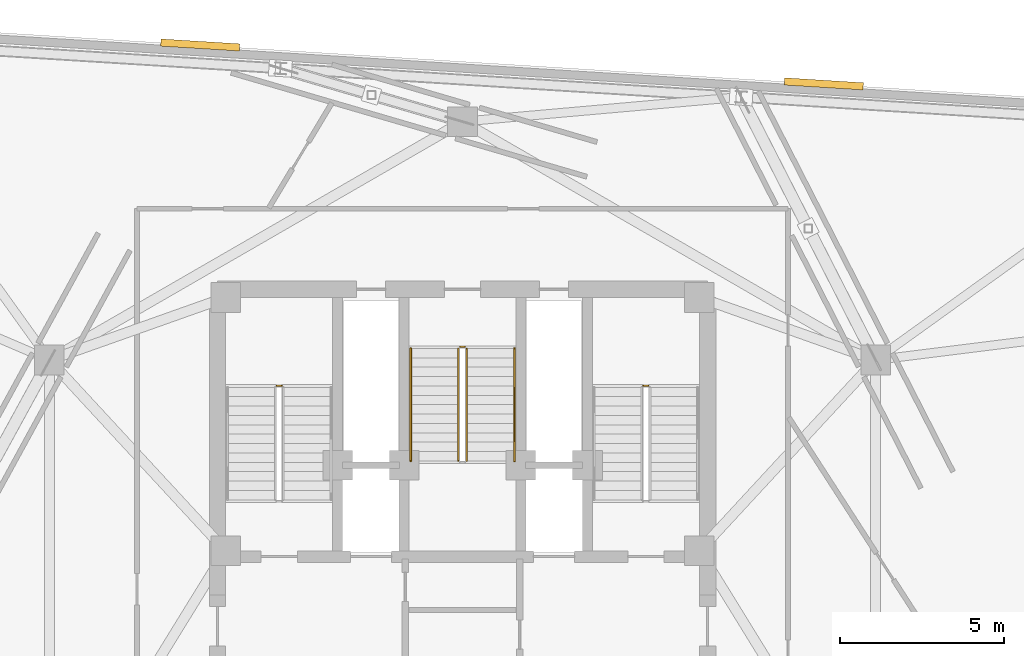
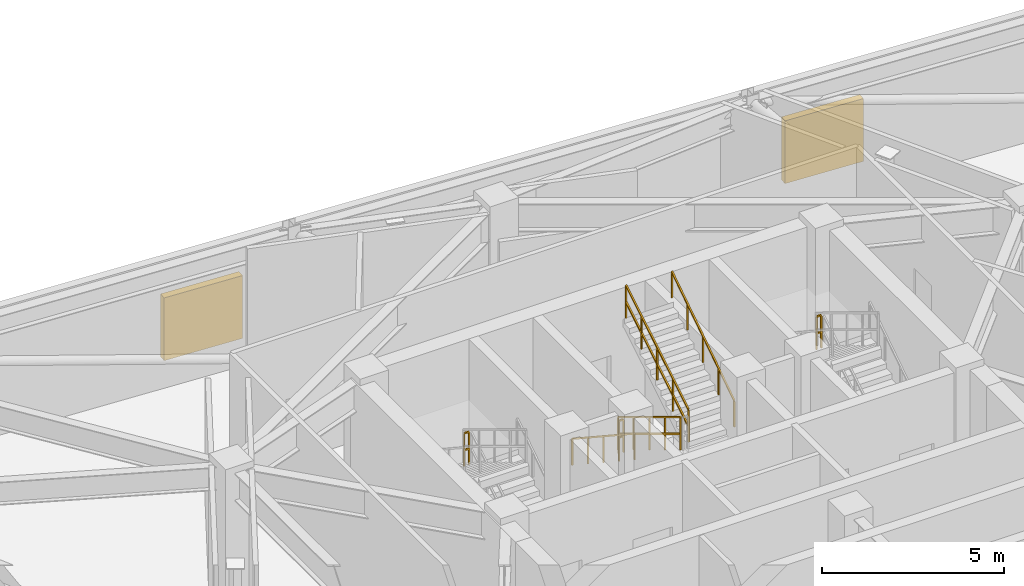
# One storey, part 11 of 11: 7 railings, 2 shading devices.
"""IFC4 building model written with IfcOpenShell, lengths in metres."""

import ifcopenshell
import ifcopenshell.guid

model = None  # the IFC model being written
_history = None  # IfcOwnerHistory: only IFC2X3 demands one
_inside = {}  # id of a spatial element -> (the spatial element, [elements in it])
_under = {}  # id of a project, library or spatial element -> (it, [spatial elements below it])
_declared = {}  # id of a project -> (the project, [libraries it declares])
_typed = {}  # id of a type object -> (the type object, [elements of that type])
_made_of = {}  # id of a material, layer set ... -> (it, [elements and type objects made of it])


def new_model(schema):
    """Start an empty IFC model of exactly this schema.

    Asked for "IFC4X3", IfcOpenShell would pick the latest addendum, in which some entities
    have other attributes; the version numbers below select the first issue.
    IFC2X3 requires an IfcOwnerHistory on every rooted entity: one is made here for all.
    """
    global model, _history
    if schema == "IFC4X3":
        model = ifcopenshell.file(schema_version=(4, 3, 0, 0))
    else:
        model = ifcopenshell.file(schema=schema)
    _inside.clear()
    _under.clear()
    _declared.clear()
    _typed.clear()
    _made_of.clear()
    _history = None
    if model.schema == "IFC2X3":
        org = make("IfcOrganization", Name="unknown")
        user = make(
            "IfcPersonAndOrganization",
            ThePerson=make("IfcPerson", FamilyName="unknown"),
            TheOrganization=org,
        )
        app = make(
            "IfcApplication",
            ApplicationDeveloper=org,
            Version="unknown",
            ApplicationFullName="unknown",
            ApplicationIdentifier="unknown",
        )
        _history = make(
            "IfcOwnerHistory",
            OwningUser=user,
            OwningApplication=app,
            ChangeAction="ADDED",
            CreationDate=0,
        )
    return model


def make(cls, **values):
    """One entity of the class cls with the attributes given. An attribute that is None is left unset."""
    return model.create_entity(
        cls, **{name: value for name, value in values.items() if value is not None}
    )


def rooted(cls, **values):
    """An entity with a GlobalId (a new one), such as an element, a storey or a relation."""
    return make(cls, GlobalId=ifcopenshell.guid.new(), OwnerHistory=_history, **values)


def si_unit(unit_type, name, prefix=None):
    """IfcSIUnit, for example si_unit("LENGTHUNIT", "METRE", prefix="MILLI")."""
    return make("IfcSIUnit", UnitType=unit_type, Prefix=prefix, Name=name)


def assignment(units):
    """IfcUnitAssignment: the units of a project."""
    return None if units is None else make("IfcUnitAssignment", Units=units)


def point(xyz):
    """IfcCartesianPoint."""
    return None if xyz is None else make("IfcCartesianPoint", Coordinates=xyz)


def direction(xyz):
    """IfcDirection."""
    return None if xyz is None else make("IfcDirection", DirectionRatios=xyz)


def frame(location, z_axis=None, x_axis=None):
    """IfcAxis2Placement3D, a coordinate frame: its origin and axes. An axis left out is left unset."""
    return make(
        "IfcAxis2Placement3D",
        Location=point(location),
        Axis=direction(z_axis),
        RefDirection=direction(x_axis),
    )


def frame_2d(location, x_axis=None):
    """IfcAxis2Placement2D, a coordinate frame in the plane: its origin and x axis."""
    return make(
        "IfcAxis2Placement2D", Location=point(location), RefDirection=direction(x_axis)
    )


def origin():
    """The frame at (0, 0, 0) with its axes left unset."""
    return frame((0.0, 0.0, 0.0))


def origin_2d():
    """The frame at (0, 0) in the plane with its x axis left unset."""
    return frame_2d((0.0, 0.0))


def place(relative_to, where):
    """IfcLocalPlacement: puts the frame where relative to a parent placement (None: the world)."""
    return make(
        "IfcLocalPlacement", PlacementRelTo=relative_to, RelativePlacement=where
    )


def context(
    kind, dimensions, precision=None, world=None, true_north=None, identifier=None
):
    """IfcGeometricRepresentationContext, for example the 3D "Model" context."""
    return make(
        "IfcGeometricRepresentationContext",
        ContextIdentifier=identifier,
        ContextType=kind,
        CoordinateSpaceDimension=dimensions,
        Precision=precision,
        WorldCoordinateSystem=world,
        TrueNorth=true_north,
    )


def subcontext(parent, identifier, kind, view, scale=None):
    """IfcGeometricRepresentationSubContext, for example "Body" below "Model"."""
    return make(
        "IfcGeometricRepresentationSubContext",
        ContextIdentifier=identifier,
        ContextType=kind,
        ParentContext=parent,
        TargetScale=scale,
        TargetView=view,
    )


def project(units=None, contexts=None):
    """IfcProject with its units and contexts."""
    return rooted(
        "IfcProject",
        Name="project",
        RepresentationContexts=contexts,
        UnitsInContext=assignment(units),
    )


def spatial(cls, under=None, at=None, **own):
    """A site, building, storey or space (cls), placed at a placement, below another one or the project."""
    s = rooted(cls, ObjectPlacement=at, **own)
    if under is not None:
        _under.setdefault(under.id(), (under, []))[1].append(s)
    return s


def profile(cls, at=None, kind="AREA", **sizes):
    """A parametric profile (cls). Its sizes go by their IFC names, for example OverallWidth=200.0."""
    return make(cls, ProfileType=kind, Position=at, **sizes)


def rectangle(**sizes):
    """IfcRectangleProfileDef."""
    return profile("IfcRectangleProfileDef", **sizes)


def extrude(swept, where, along, depth):
    """IfcExtrudedAreaSolid: the profile swept, set in the frame where, extruded along a direction by depth."""
    return make(
        "IfcExtrudedAreaSolid",
        SweptArea=swept,
        Position=where,
        ExtrudedDirection=direction(along),
        Depth=depth,
    )


def shape(context_of_items, identifier, shape_type, items):
    """IfcShapeRepresentation: the items that make up one representation, for example the "Body"."""
    return make(
        "IfcShapeRepresentation",
        ContextOfItems=context_of_items,
        RepresentationIdentifier=identifier,
        RepresentationType=shape_type,
        Items=items,
    )


def material(Name=None, Category=None):
    """IfcMaterial."""
    return make("IfcMaterial", Name=Name, Category=Category)


def made_of(thing, what):
    """Note that an element or type object is made of a material, layer set ...; save() writes the relation."""
    if what is not None:
        _made_of.setdefault(what.id(), (what, []))[1].append(thing)
    return thing


def type_object(cls, material=None, **own):
    """A type object (cls), such as IfcWallType, which elements share."""
    return made_of(rooted(cls, **own), material)


def element(
    cls,
    number,
    at=None,
    inside=None,
    cuts=None,
    type_object=None,
    material=None,
    context=None,
    identifier="Body",
    shape_type=None,
    held_by="IfcProductDefinitionShape",
    body=None,
    shapes=None,
    **own,
):
    """One element of the class cls, such as IfcWall. Its Tag is "e" and its number.

    at: its placement. inside: the storey or other place that contains it. cuts: it is an
    opening in that element (IfcRelVoidsElement). A single representation is given by context,
    identifier, shape_type and body (its items); several are given by shapes. held_by: the class
    of the entity that holds the representations. save() writes the other relations.
    """
    e = rooted(cls, Tag="e%d" % number, ObjectPlacement=at, **own)
    if body is not None:
        shapes = [shape(context, identifier, shape_type, body)]
    if shapes is not None:
        e.Representation = make(held_by, Representations=shapes)
    if inside is not None:
        _inside.setdefault(inside.id(), (inside, []))[1].append(e)
    if cuts is not None:
        rooted(
            "IfcRelVoidsElement", RelatingBuildingElement=cuts, RelatedOpeningElement=e
        )
    if type_object is not None:
        _typed.setdefault(type_object.id(), (type_object, []))[1].append(e)
    return made_of(e, material)


def aggregate(whole, parts):
    """IfcRelAggregates: a whole, such as a stair, and the parts it consists of."""
    return rooted("IfcRelAggregates", RelatingObject=whole, RelatedObjects=parts)


def save(model, path):
    """Write the relations noted so far, then the file.

    IfcRelAggregates (storeys below a building ...), IfcRelContainedInSpatialStructure (elements
    in a storey), IfcRelDefinesByType, IfcRelAssociatesMaterial and IfcRelDeclares: one each for
    every whole, place, type object, material and project.
    """
    for whole, parts in _under.values():
        aggregate(whole, parts)
    for where, things in _inside.values():
        rooted(
            "IfcRelContainedInSpatialStructure",
            RelatedElements=things,
            RelatingStructure=where,
        )
    for kind, things in _typed.values():
        rooted("IfcRelDefinesByType", RelatedObjects=things, RelatingType=kind)
    for what, things in _made_of.values():
        rooted("IfcRelAssociatesMaterial", RelatedObjects=things, RelatingMaterial=what)
    for by, libraries in _declared.values():
        rooted("IfcRelDeclares", RelatingContext=by, RelatedDefinitions=libraries)
    model.write(path)


model = new_model("IFC4")

# Units and contexts
model_context = context("Model", 3, precision=1e-05, world=origin(), true_north=direction((0.0, 1.0)))
body_context = subcontext(model_context, "Body", "Model", "MODEL_VIEW")
ifc_project = project(units=[si_unit("LENGTHUNIT", "METRE"), si_unit("AREAUNIT", "SQUARE_METRE"), si_unit("VOLUMEUNIT", "CUBIC_METRE"), si_unit("PLANEANGLEUNIT", "RADIAN"), si_unit("MASSUNIT", "GRAM", prefix="KILO")], contexts=[model_context])

# Site, building, storey
site_placement = place(None, origin())
site = spatial("IfcSite", under=ifc_project, at=site_placement, CompositionType="ELEMENT")
building_placement = place(site_placement, origin())
building = spatial("IfcBuilding", under=site, at=building_placement, Name="Apsidion Concourse Tower", CompositionType="ELEMENT")
storey_placement = place(building_placement, frame((0.0, 0.0, 328.0)))
storey = spatial("IfcBuildingStorey", under=building, at=storey_placement, Name="L77", CompositionType="ELEMENT", Elevation=328.0)

# Railings
ifc_material_1 = material(Name="Brushed stainless steel 316", Category="steel")
railing_type_1 = type_object("IfcRailingType", Name="RL-GUARD-1100", PredefinedType="GUARDRAIL", material=ifc_material_1)
for number, where, name in (
    (1, (-5.5, 6.469970703125, 2.25), "L77 ST1 stair guard 2"),
    (2, (5.64990234375, 6.469970703125, 2.25), "L77 ST2 stair guard 2"),
):
    element("IfcRailing", number, at=place(storey_placement, frame(where)), inside=storey, type_object=railing_type_1, Name=name, PredefinedType="GUARDRAIL", context=body_context, shape_type="SweptSolid", body=[
        extrude(rectangle(XDim=0.048095703125, YDim=0.048095703125, at=origin_2d()), frame((0.0, 0.0, 1.09619140625), z_axis=(-1.0, 0.0, 0.0), x_axis=(0.0, -1.0, 0.0)), (0.0, 0.0, 1.0), 0.14990234375),
        extrude(rectangle(XDim=0.048095703125, YDim=0.048095703125, at=origin_2d()), frame((0.0, 0.0, 0.5361328125), z_axis=(-1.0, 0.0, 0.0), x_axis=(0.0, -1.0, 0.0)), (0.0, 0.0, 1.0), 0.14990234375),
        extrude(rectangle(XDim=0.0419921875, YDim=0.0419921875, at=origin_2d()), origin(), (0.0, 0.0, 1.0), 1.072021484375),
        extrude(rectangle(XDim=0.0419921875, YDim=0.0419921875, at=origin_2d()), frame((-0.14990234375, 0.0, 0.0)), (0.0, 0.0, 1.0), 1.072021484375),
    ])
railing_1_placement = place(storey_placement, frame((-0.125, 7.60009765625, 0.173095703125)))
element("IfcRailing", 3, at=railing_1_placement, inside=storey, type_object=railing_type_1, Name="L77 ST3 stair guard 1", PredefinedType="GUARDRAIL", context=body_context, shape_type="SweptSolid", body=[
    extrude(rectangle(XDim=0.048095703125, YDim=0.048095703125, at=origin_2d()), frame((0.0, 0.0, 1.09619140625), z_axis=(0.0, -0.854745945586, 0.519046595696), x_axis=(1.0, 0.0, 0.0)), (0.0, 0.0, 1.0), 4.00146484375),
    extrude(rectangle(XDim=0.048095703125, YDim=0.048095703125, at=origin_2d()), frame((0.0, 0.0, 0.5361328125), z_axis=(0.0, -0.854745945586, 0.519046595696), x_axis=(1.0, 0.0, 0.0)), (0.0, 0.0, 1.0), 4.00146484375),
    extrude(rectangle(XDim=0.0419921875, YDim=0.0419921875, at=origin_2d()), origin(), (0.0, 0.0, 1.0), 1.072021484375),
    extrude(rectangle(XDim=0.0419921875, YDim=0.0419921875, at=origin_2d()), frame((0.0, -0.85498046875, 0.519287109375)), (0.0, 0.0, 1.0), 1.072021484375),
    extrude(rectangle(XDim=0.0419921875, YDim=0.0419921875, at=origin_2d()), frame((0.0, -1.7099609375, 1.03857421875)), (0.0, 0.0, 1.0), 1.072021484375),
    extrude(rectangle(XDim=0.0419921875, YDim=0.0419921875, at=origin_2d()), frame((0.0, -2.565185546875, 1.5576171875)), (0.0, 0.0, 1.0), 1.072021484375),
    extrude(rectangle(XDim=0.0419921875, YDim=0.0419921875, at=origin_2d()), frame((0.0, -3.420166015625, 2.076904296875)), (0.0, 0.0, 1.0), 1.072021484375),
])
railing_2_placement = place(storey_placement, frame((0.125, 4.179931640625, 2.423095703125)))
element("IfcRailing", 4, at=railing_2_placement, inside=storey, type_object=railing_type_1, Name="L77 ST3 stair guard 3", PredefinedType="GUARDRAIL", context=body_context, shape_type="SweptSolid", body=[
    extrude(rectangle(XDim=0.048095703125, YDim=0.048095703125, at=origin_2d()), frame((0.0, 0.0, 1.09619140625), z_axis=(0.0, 0.854745945586, 0.519046595696), x_axis=(-1.0, 0.0, 0.0)), (0.0, 0.0, 1.0), 4.00146484375),
    extrude(rectangle(XDim=0.048095703125, YDim=0.048095703125, at=origin_2d()), frame((0.0, 0.0, 0.5361328125), z_axis=(0.0, 0.854745945586, 0.519046595696), x_axis=(-1.0, 0.0, 0.0)), (0.0, 0.0, 1.0), 4.00146484375),
    extrude(rectangle(XDim=0.0419921875, YDim=0.0419921875, at=origin_2d()), origin(), (0.0, 0.0, 1.0), 1.072021484375),
    extrude(rectangle(XDim=0.0419921875, YDim=0.0419921875, at=origin_2d()), frame((0.0, 0.85498046875, 0.519287109375)), (0.0, 0.0, 1.0), 1.072021484375),
    extrude(rectangle(XDim=0.0419921875, YDim=0.0419921875, at=origin_2d()), frame((0.0, 1.7099609375, 1.03857421875)), (0.0, 0.0, 1.0), 1.072021484375),
    extrude(rectangle(XDim=0.0419921875, YDim=0.0419921875, at=origin_2d()), frame((0.0, 2.565185546875, 1.5576171875)), (0.0, 0.0, 1.0), 1.072021484375),
    extrude(rectangle(XDim=0.0419921875, YDim=0.0419921875, at=origin_2d()), frame((0.0, 3.420166015625, 2.076904296875)), (0.0, 0.0, 1.0), 1.072021484375),
])
railing_3_placement = place(storey_placement, frame((-0.074951171875, 7.64990234375, 0.0)))
element("IfcRailing", 5, at=railing_3_placement, inside=storey, type_object=railing_type_1, Name="L77 ST3 stair guard 4", PredefinedType="GUARDRAIL", context=body_context, shape_type="SweptSolid", body=[
    extrude(rectangle(XDim=0.048095703125, YDim=0.048095703125, at=origin_2d()), frame((0.0, 0.0, 1.09619140625), z_axis=(1.0, 0.0, 0.0), x_axis=(0.0, 1.0, 0.0)), (0.0, 0.0, 1.0), 0.14990234375),
    extrude(rectangle(XDim=0.048095703125, YDim=0.048095703125, at=origin_2d()), frame((0.0, 0.0, 0.5361328125), z_axis=(1.0, 0.0, 0.0), x_axis=(0.0, 1.0, 0.0)), (0.0, 0.0, 1.0), 0.14990234375),
    extrude(rectangle(XDim=0.0419921875, YDim=0.0419921875, at=origin_2d()), origin(), (0.0, 0.0, 1.0), 1.072021484375),
    extrude(rectangle(XDim=0.0419921875, YDim=0.0419921875, at=origin_2d()), frame((0.14990234375, 0.0, 0.0)), (0.0, 0.0, 1.0), 1.072021484375),
])
railing_type_2 = type_object("IfcRailingType", Name="RL-HAND-900", PredefinedType="HANDRAIL", material=ifc_material_1)
railing_4_placement = place(storey_placement, frame((-1.574951171875, 7.60009765625, 0.173095703125)))
element("IfcRailing", 6, at=railing_4_placement, inside=storey, type_object=railing_type_2, Name="L77 ST3 stair handrail 1", PredefinedType="HANDRAIL", context=body_context, shape_type="SweptSolid", body=[
    extrude(rectangle(XDim=0.048095703125, YDim=0.048095703125, at=origin_2d()), frame((0.0, 0.0, 0.8759765625), z_axis=(0.0, -0.835429331894, 0.549597881557), x_axis=(1.0, 0.0, 0.0)), (0.0, 0.0, 1.0), 4.093994140625),
    extrude(rectangle(XDim=0.0419921875, YDim=0.0419921875, at=origin_2d()), origin(), (0.0, 0.0, 1.0), 0.851806640625),
    extrude(rectangle(XDim=0.0419921875, YDim=0.0419921875, at=origin_2d()), frame((0.0, -0.85498046875, 0.5625)), (0.0, 0.0, 1.0), 0.851806640625),
    extrude(rectangle(XDim=0.0419921875, YDim=0.0419921875, at=origin_2d()), frame((0.0, -1.7099609375, 1.125)), (0.0, 0.0, 1.0), 0.851806640625),
    extrude(rectangle(XDim=0.0419921875, YDim=0.0419921875, at=origin_2d()), frame((0.0, -2.565185546875, 1.6875)), (0.0, 0.0, 1.0), 0.851806640625),
    extrude(rectangle(XDim=0.0419921875, YDim=0.0419921875, at=origin_2d()), frame((0.0, -3.420166015625, 2.25)), (0.0, 0.0, 1.0), 0.851806640625),
])
railing_5_placement = place(storey_placement, frame((1.574951171875, 4.179931640625, 2.423095703125)))
element("IfcRailing", 7, at=railing_5_placement, inside=storey, type_object=railing_type_2, Name="L77 ST3 stair handrail 2", PredefinedType="HANDRAIL", context=body_context, shape_type="SweptSolid", body=[
    extrude(rectangle(XDim=0.048095703125, YDim=0.048095703125, at=origin_2d()), frame((0.0, 0.0, 0.8759765625), z_axis=(0.0, 0.835429331894, 0.549597881557), x_axis=(-1.0, 0.0, 0.0)), (0.0, 0.0, 1.0), 4.093994140625),
    extrude(rectangle(XDim=0.0419921875, YDim=0.0419921875, at=origin_2d()), origin(), (0.0, 0.0, 1.0), 0.851806640625),
    extrude(rectangle(XDim=0.0419921875, YDim=0.0419921875, at=origin_2d()), frame((0.0, 0.85498046875, 0.5625)), (0.0, 0.0, 1.0), 0.851806640625),
    extrude(rectangle(XDim=0.0419921875, YDim=0.0419921875, at=origin_2d()), frame((0.0, 1.7099609375, 1.125)), (0.0, 0.0, 1.0), 0.851806640625),
    extrude(rectangle(XDim=0.0419921875, YDim=0.0419921875, at=origin_2d()), frame((0.0, 2.565185546875, 1.6875)), (0.0, 0.0, 1.0), 0.851806640625),
    extrude(rectangle(XDim=0.0419921875, YDim=0.0419921875, at=origin_2d()), frame((0.0, 3.420166015625, 2.25)), (0.0, 0.0, 1.0), 0.851806640625),
])

# Shading devices
ifc_material_2 = material(Name="Anodised aluminium EN AW-6063 T6", Category="aluminium")
shading_device_type = type_object("IfcShadingDeviceType", Name="SH-LOUVRE-AL", PredefinedType="JALOUSIE", material=ifc_material_2)
for number, where, z_axis, x_axis, name in (
    (8, (-7.976806640625, 16.828369140625, 0.75), (0.0, 0.0, 1.0), (0.998059468659, -0.062267945373, 0.0), "L77 Plant Acoustic Louvre Bank 1-1"),
    (9, (10.985595703125, 15.645751953125, 0.75), (0.0, 0.0, 1.0), (0.998059468659, -0.062267945373, 0.0), "L77 Plant Acoustic Louvre Bank 1-2"),
):
    element("IfcShadingDevice", number, at=place(storey_placement, frame(where, z_axis=z_axis, x_axis=x_axis)), inside=storey, type_object=shading_device_type, Name=name, PredefinedType="JALOUSIE", context=body_context, shape_type="SweptSolid", body=[
        extrude(rectangle(XDim=2.39990234375, YDim=0.219970703125, at=origin_2d()), origin(), (0.0, 0.0, 1.0), 2.10009765625),
    ])

save(model, "model.ifc")
